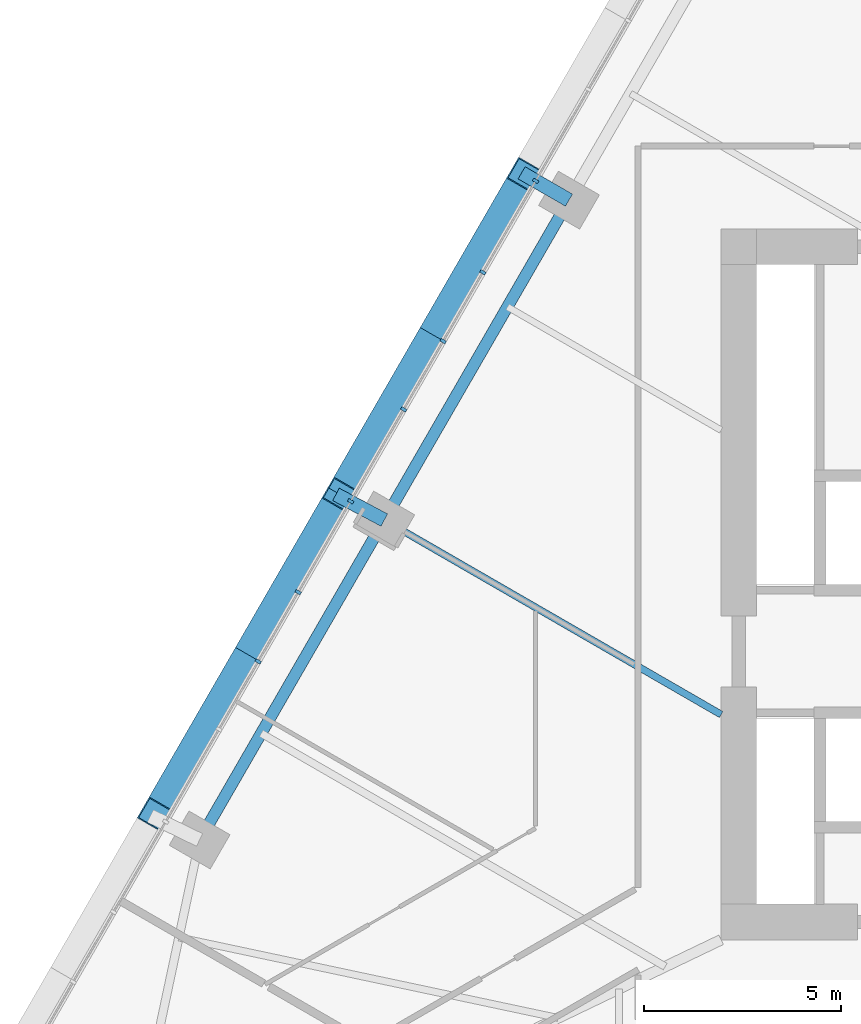
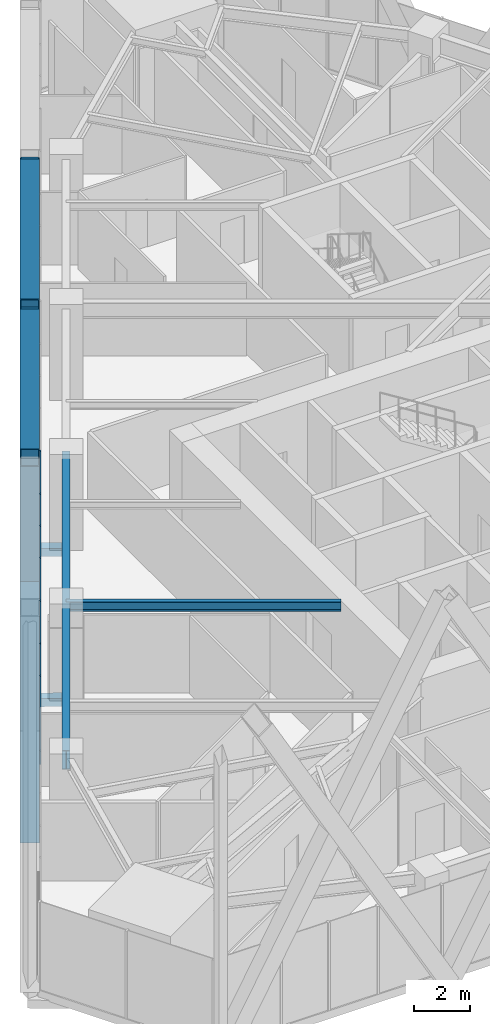
# One storey, part 3 of 21: 13 members, 2 beams, 1 element without a shape of its own.
"""IFC4 building model written with IfcOpenShell, lengths in metres."""

from ifc_helpers import new_model, si_unit, direction, frame, origin, origin_2d, place, context, subcontext, project, spatial, rectangle, hollow_rectangle, i_section, extrude, material, layer, layer_set, material_profile, profile_set, type_object, element, aggregate, save


model = new_model("IFC4")

# Units and contexts
model_context = context("Model", 3, precision=1e-05, world=origin(), true_north=direction((0.0, 1.0)))
body_context = subcontext(model_context, "Body", "Model", "MODEL_VIEW")
ifc_project = project(units=[si_unit("LENGTHUNIT", "METRE"), si_unit("AREAUNIT", "SQUARE_METRE"), si_unit("VOLUMEUNIT", "CUBIC_METRE"), si_unit("PLANEANGLEUNIT", "RADIAN"), si_unit("MASSUNIT", "GRAM", prefix="KILO")], contexts=[model_context])

# Site, building, storey
site_placement = place(None, origin())
site = spatial("IfcSite", under=ifc_project, at=site_placement, CompositionType="ELEMENT")
building_placement = place(site_placement, origin())
building = spatial("IfcBuilding", under=site, at=building_placement, Name="Firuza Gate Tower and Library", CompositionType="ELEMENT")
storey_placement = place(building_placement, frame((0.0, 0.0, 107.199951171875)))
storey = spatial("IfcBuildingStorey", under=building, at=storey_placement, Name="L24", CompositionType="ELEMENT", Elevation=107.199951171875)

# Members
ifc_material_1 = material(Name="Steel S355", Category="steel")
ifc_material_profile_1 = material_profile(ifc_material_1, hollow_rectangle(XDim=0.699951171875, YDim=0.699951171875, WallThickness=0.030029296875, at=origin_2d()))
ifc_profile_set_1 = profile_set([ifc_material_profile_1], Name="Steel S355")
member_type_1 = type_object("IfcMemberType", Name="BU700x700x30 Lattice brace", PredefinedType="BRACE", material=ifc_profile_set_1)
for number, where, z_axis, x_axis, name in (
    (1, (57.022216796875, 85.37939453125, 0.0), (-0.243231413783, -0.421290470362, 0.873700646063), (0.866026073768, -0.499998839552, 0.0), "Lattice brace W 5.4R"),
    (2, (52.34521484375, 77.278564453125, 0.0), (0.243231413783, 0.421290470362, 0.873700646063), (-0.866026073768, 0.499998839552, 0.0), "Lattice brace W 5.4L"),
):
    element("IfcMember", number, at=place(storey_placement, frame(where, z_axis=z_axis, x_axis=x_axis)), inside=storey, type_object=member_type_1, Name=name, PredefinedType="BRACE", context=body_context, shape_type="SweptSolid", body=[
        extrude(hollow_rectangle(XDim=0.699951171875, YDim=0.699951171875, WallThickness=0.030029296875, at=origin_2d()), origin(), (0.0, 0.0, 1.0), 19.228515625),
    ])
for number, where, z_axis, x_axis, name in (
    (3, (52.34521484375, 77.278564453125, 0.0), (-0.243242058194, -0.421299612433, 0.873693274376), (0.866021297244, -0.500007112669, 0.0), "Lattice brace W 5.5R"),
    (4, (47.66796875, 69.177490234375, 0.0), (0.243242058194, 0.421299612433, 0.873693274376), (-0.866021297244, 0.500007112669, 0.0), "Lattice brace W 5.5L"),
):
    element("IfcMember", number, at=place(storey_placement, frame(where, z_axis=z_axis, x_axis=x_axis)), inside=storey, type_object=member_type_1, Name=name, PredefinedType="BRACE", context=body_context, shape_type="SweptSolid", body=[
        extrude(hollow_rectangle(XDim=0.699951171875, YDim=0.699951171875, WallThickness=0.030029296875, at=origin_2d()), origin(), (0.0, 0.0, 1.0), 19.228759765625),
    ])

# Curtain wall, members
ifc_material_2 = material(Name="Aluminium 6063-T6", Category="aluminium")
ifc_layer = layer(ifc_material_2, 0.14990234375)
ifc_layer_set = layer_set([ifc_layer], Name="Unitised curtain wall, offices")
curtain_wall_type = type_object("IfcCurtainWallType", Name="Unitised curtain wall, offices", PredefinedType="NOTDEFINED", material=ifc_layer_set)
curtain_wall_placement = place(storey_placement, origin())
curtain_wall = element("IfcCurtainWall", 5, at=curtain_wall_placement, inside=storey, type_object=curtain_wall_type, Name="CW1 L24 W face", PredefinedType="NOTDEFINED")
ifc_material_3 = material(Name="Aluminium 6063-T6", Category="aluminium")
ifc_material_profile_2 = material_profile(ifc_material_3, rectangle(XDim=0.14990234375, YDim=0.080078125, at=origin_2d()))
ifc_profile_set_2 = profile_set([ifc_material_profile_2], Name="Aluminium 6063-T6")
member_type_2 = type_object("IfcMemberType", Name="Curtain wall mullion 80x150", PredefinedType="MULLION", material=ifc_profile_set_2)
member_1_placement = place(storey_placement, frame((57.3037109375, 85.217041015625, 0.150146484375), z_axis=(0.0, 0.0, 1.0), x_axis=(0.866025403784, -0.5, 0.0)))
member_1 = element("IfcMember", 6, at=member_1_placement, type_object=member_type_2, Name="Mullion", PredefinedType="MULLION", context=body_context, shape_type="SweptSolid", body=[
    extrude(rectangle(XDim=0.14990234375, YDim=0.080078125, at=origin_2d()), origin(), (0.0, 0.0, 1.0), 3.849853515625),
])
member_2_placement = place(storey_placement, frame((54.961669921875, 81.16015625, 0.150146484375), z_axis=(0.0, 0.0, 1.0), x_axis=(0.866025403784, -0.5, 0.0)))
member_2 = element("IfcMember", 7, at=member_2_placement, type_object=member_type_2, Name="Mullion", PredefinedType="MULLION", context=body_context, shape_type="SweptSolid", body=[
    extrude(rectangle(XDim=0.14990234375, YDim=0.080078125, at=origin_2d()), origin(), (0.0, 0.0, 1.0), 3.849853515625),
])
member_3_placement = place(storey_placement, frame((52.619384765625, 77.103515625, 0.150146484375), z_axis=(0.0, 0.0, 1.0), x_axis=(0.866025403784, -0.5, 0.0)))
member_3 = element("IfcMember", 8, at=member_3_placement, type_object=member_type_2, Name="Mullion", PredefinedType="MULLION", context=body_context, shape_type="SweptSolid", body=[
    extrude(rectangle(XDim=0.14990234375, YDim=0.080078125, at=origin_2d()), origin(), (0.0, 0.0, 1.0), 3.849853515625),
])
member_4_placement = place(storey_placement, frame((50.27734375, 73.046630859375, 0.150146484375), z_axis=(0.0, 0.0, 1.0), x_axis=(0.866025403784, -0.5, 0.0)))
member_4 = element("IfcMember", 9, at=member_4_placement, type_object=member_type_2, Name="Mullion", PredefinedType="MULLION", context=body_context, shape_type="SweptSolid", body=[
    extrude(rectangle(XDim=0.14990234375, YDim=0.080078125, at=origin_2d()), origin(), (0.0, 0.0, 1.0), 3.849853515625),
])
member_5_placement = place(storey_placement, frame((55.96728515625, 82.90234375, 0.150146484375), z_axis=(0.0, 0.0, 1.0), x_axis=(0.866025403784, -0.5, 0.0)))
member_5 = element("IfcMember", 10, at=member_5_placement, type_object=member_type_2, Name="Mullion", PredefinedType="MULLION", context=body_context, shape_type="SweptSolid", body=[
    extrude(rectangle(XDim=0.14990234375, YDim=0.080078125, at=origin_2d()), origin(), (0.0, 0.0, 1.0), 3.849853515625),
])
member_6_placement = place(storey_placement, frame((53.963134765625, 79.4306640625, 0.150146484375), z_axis=(0.0, 0.0, 1.0), x_axis=(0.866025403784, -0.5, 0.0)))
member_6 = element("IfcMember", 11, at=member_6_placement, type_object=member_type_2, Name="Mullion", PredefinedType="MULLION", context=body_context, shape_type="SweptSolid", body=[
    extrude(rectangle(XDim=0.14990234375, YDim=0.080078125, at=origin_2d()), origin(), (0.0, 0.0, 1.0), 3.849853515625),
])
member_7_placement = place(storey_placement, frame((51.290283203125, 74.80126953125, 0.150146484375), z_axis=(0.0, 0.0, 1.0), x_axis=(0.866025403784, -0.5, 0.0)))
member_7 = element("IfcMember", 12, at=member_7_placement, type_object=member_type_2, Name="Mullion", PredefinedType="MULLION", context=body_context, shape_type="SweptSolid", body=[
    extrude(rectangle(XDim=0.14990234375, YDim=0.080078125, at=origin_2d()), origin(), (0.0, 0.0, 1.0), 3.849853515625),
])
aggregate(curtain_wall, [member_1, member_2, member_3, member_4, member_5, member_6, member_7])

# Members
ifc_material_4 = material(Name="Steel S355", Category="steel")
ifc_material_profile_3 = material_profile(ifc_material_4, hollow_rectangle(XDim=0.355712890625, YDim=0.355712890625, WallThickness=0.014892578125, at=origin_2d()))
ifc_profile_set_3 = profile_set([ifc_material_profile_3], Name="Steel S355")
member_type_3 = type_object("IfcMemberType", Name="HSS356x356x16 Lattice node tie", PredefinedType="BRACE", material=ifc_profile_set_3)
member_8_placement = place(storey_placement, frame((53.470947265625, 76.62841796875, -0.320068359375), z_axis=(-0.883165886802, 0.469060781124, 0.0), x_axis=(-0.469060781124, -0.883165886802, 0.0)))
element("IfcMember", 13, at=member_8_placement, inside=storey, type_object=member_type_3, Name="Lattice node tie W L24 101", PredefinedType="BRACE", context=body_context, shape_type="SweptSolid", body=[
    extrude(hollow_rectangle(XDim=0.355712890625, YDim=0.355712890625, WallThickness=0.014892578125, at=origin_2d()), origin(), (0.0, 0.0, 1.0), 1.385986328125),
])
member_9_placement = place(storey_placement, frame((58.148193359375, 84.7294921875, -0.320068359375), z_axis=(-0.866032975699, 0.499986884831, 0.0), x_axis=(-0.499986884831, -0.866032975699, 0.0)))
element("IfcMember", 14, at=member_9_placement, inside=storey, type_object=member_type_3, Name="Lattice node tie W L24 102", PredefinedType="BRACE", context=body_context, shape_type="SweptSolid", body=[
    extrude(hollow_rectangle(XDim=0.355712890625, YDim=0.355712890625, WallThickness=0.014892578125, at=origin_2d()), origin(), (0.0, 0.0, 1.0), 1.38525390625),
])

# Beams
ifc_material_5 = material(Name="Steel S355", Category="steel")
ifc_material_profile_4 = material_profile(ifc_material_5, i_section(OverallWidth=0.177978515625, OverallDepth=0.406982421875, WebThickness=0.0078125, FlangeThickness=0.0126953125, at=origin_2d()))
ifc_profile_set_4 = profile_set([ifc_material_profile_4], Name="Steel S355")
beam_type_1 = type_object("IfcBeamType", Name="W410x60 Floor beam", PredefinedType="JOIST", material=ifc_profile_set_4)
beam_1_placement = place(storey_placement, frame((53.470947265625, 76.62841796875, 3.796630859375), z_axis=(0.866033257486, -0.499986396743, 0.0), x_axis=(0.499986396743, 0.866033257486, 0.0)))
element("IfcBeam", 15, at=beam_1_placement, inside=storey, type_object=beam_type_1, Name="Floor beam L24 s84", PredefinedType="JOIST", context=body_context, shape_type="SweptSolid", body=[
    extrude(i_section(OverallWidth=0.177978515625, OverallDepth=0.406982421875, WebThickness=0.0078125, FlangeThickness=0.0126953125, at=origin_2d()), origin(), (0.0, 0.0, 1.0), 9.848388671875),
])
ifc_material_6 = material(Name="Steel S355", Category="steel")
ifc_material_profile_5 = material_profile(ifc_material_6, i_section(OverallWidth=0.2919921875, OverallDepth=0.8349609375, WebThickness=0.013916015625, FlangeThickness=0.018798828125, at=origin_2d()))
ifc_profile_set_5 = profile_set([ifc_material_profile_5], Name="Steel S355")
beam_type_2 = type_object("IfcBeamType", Name="W840x176 Edge beam", PredefinedType="SPANDREL", material=ifc_profile_set_5)
beam_2_placement = place(storey_placement, frame((58.148193359375, 84.7294921875, 3.58251953125), z_axis=(-0.50000297619, -0.866023685473, 0.0), x_axis=(0.866023685473, -0.50000297619, 0.0)))
element("IfcBeam", 16, at=beam_2_placement, inside=storey, type_object=beam_type_2, Name="Edge beam L24 e82", PredefinedType="SPANDREL", context=body_context, shape_type="SweptSolid", body=[
    extrude(i_section(OverallWidth=0.2919921875, OverallDepth=0.8349609375, WebThickness=0.013916015625, FlangeThickness=0.018798828125, at=origin_2d()), origin(), (0.0, 0.0, 1.0), 18.70849609375),
])

save(model, "model.ifc")
